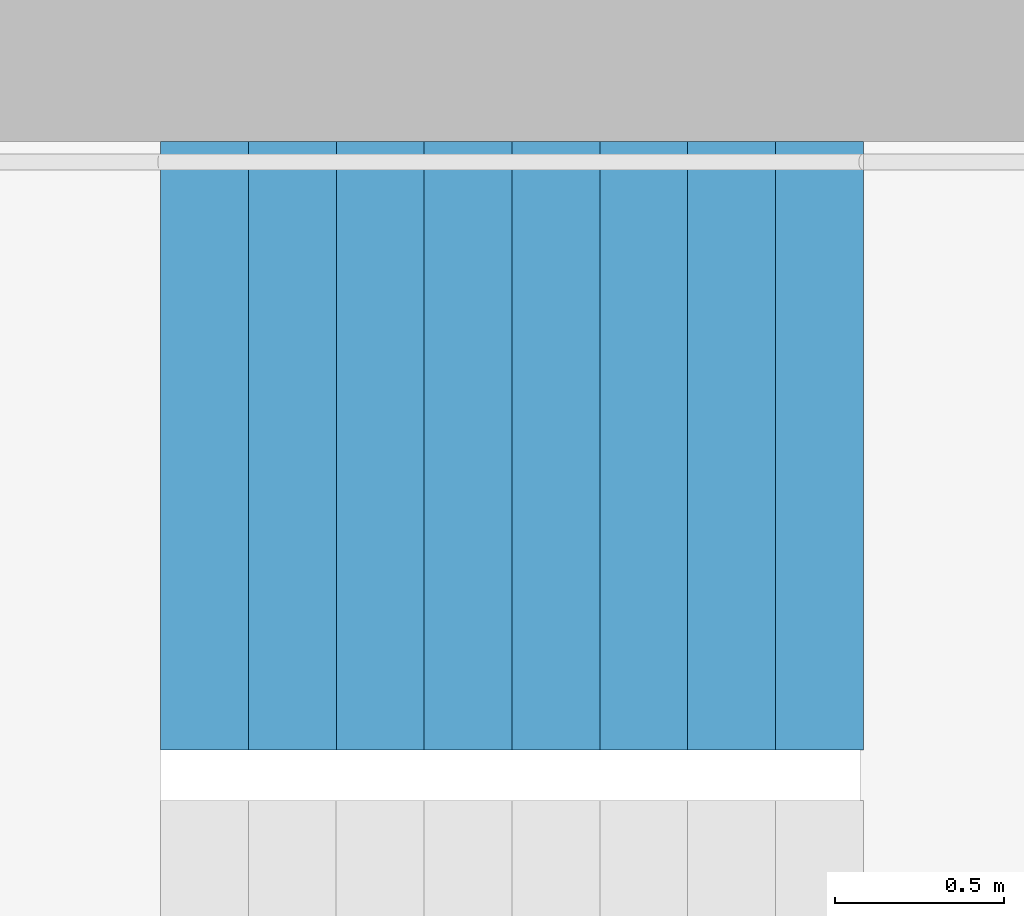
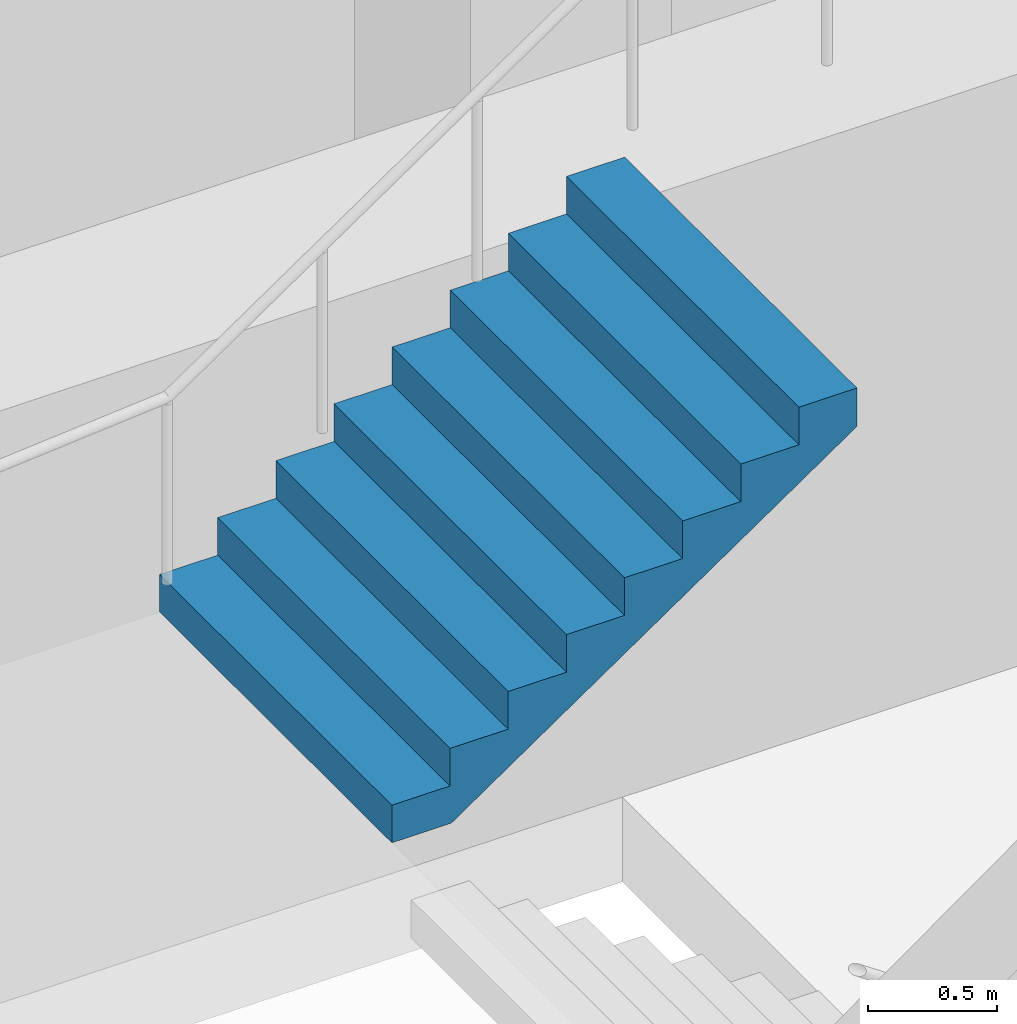
# One storey, part 28 of 29: 1 stair flight, 1 element without a shape of its own.
"""IFC4 building model written with IfcOpenShell, lengths in metres."""

from ifc_helpers import new_model, si_unit, direction, frame, origin, place, context, subcontext, project, spatial, triangles, material, type_object, element, aggregate, save


model = new_model("IFC4")

# Units and contexts
model_context = context("Model", 3, precision=1e-05, world=origin(), true_north=direction((0.0, 1.0)))
body_context = subcontext(model_context, "Body", "Model", "MODEL_VIEW")
ifc_project = project(units=[si_unit("LENGTHUNIT", "METRE"), si_unit("AREAUNIT", "SQUARE_METRE"), si_unit("VOLUMEUNIT", "CUBIC_METRE"), si_unit("PLANEANGLEUNIT", "RADIAN"), si_unit("MASSUNIT", "GRAM", prefix="KILO")], contexts=[model_context])

# Site, building, storey
site_placement = place(None, origin())
site = spatial("IfcSite", under=ifc_project, at=site_placement, CompositionType="ELEMENT")
building_placement = place(site_placement, origin())
building = spatial("IfcBuilding", under=site, at=building_placement, Name="Hakoniwa Tower and Hamabe Station Hall", CompositionType="ELEMENT")
storey_placement = place(building_placement, frame((0.0, 0.0, 101.0)))
storey = spatial("IfcBuildingStorey", under=building, at=storey_placement, Name="L28", CompositionType="ELEMENT", Elevation=101.0)

# Stair, stair flight
ifc_material_1 = material(Name="Concrete C40", Category="concrete")
stair_type = type_object("IfcStairType", Name="ESCAPE STAIR 1800", PredefinedType="HALF_TURN_STAIR", material=ifc_material_1)
stair_placement = place(storey_placement, origin())
stair = element("IfcStair", 1, at=stair_placement, inside=storey, type_object=stair_type, Name="Escape stair ST-3 L28", PredefinedType="HALF_TURN_STAIR")
ifc_material_2 = material(Name="Concrete C40", Category="concrete")
stair_flight_type = type_object("IfcStairFlightType", Name="STAIR FLIGHT 1800", PredefinedType="STRAIGHT", material=ifc_material_2)
stair_flight_placement = place(storey_placement, frame((22.320068359375, 6.60009765625, 1.60009765625), z_axis=(0.0, 0.0, 1.0), x_axis=(1.0, 0.0, 0.0)))
stair_flight = element("IfcStairFlight", 2, at=stair_flight_placement, type_object=stair_flight_type, Name="ST-3 flight 2", NumberOfRisers=9, NumberOfTreads=8, PredefinedType="STRAIGHT", RiserHeight=0.177777778, TreadLength=0.26, context=body_context, shape_type="Tessellation", body=[
    triangles([(0.0, 0.89990234375, 0.0), (0.260009765625, 0.89990234375, 0.0), (0.265625, 0.89990234375, 0.0), (0.52001953125, 0.89990234375, 0.174072265625), (0.780029296875, 0.89990234375, 0.351806640625), (1.0400390625, 0.89990234375, 0.529541015625), (1.300048828125, 0.89990234375, 0.707275390625), (1.56005859375, 0.89990234375, 0.885009765625), (1.820068359375, 0.89990234375, 1.062744140625), (2.080078125, 0.89990234375, 1.24072265625), (2.080078125, 0.89990234375, 1.422119140625), (1.820068359375, 0.89990234375, 1.422119140625), (1.820068359375, 0.89990234375, 1.244384765625), (1.56005859375, 0.89990234375, 1.244384765625), (1.56005859375, 0.89990234375, 1.066650390625), (1.300048828125, 0.89990234375, 1.066650390625), (1.300048828125, 0.89990234375, 0.888916015625), (1.0400390625, 0.89990234375, 0.888916015625), (1.0400390625, 0.89990234375, 0.711181640625), (0.780029296875, 0.89990234375, 0.711181640625), (0.780029296875, 0.89990234375, 0.533447265625), (0.52001953125, 0.89990234375, 0.533447265625), (0.52001953125, 0.89990234375, 0.35546875), (0.265625, 0.89990234375, 0.35546875), (0.260009765625, 0.89990234375, 0.35546875), (0.260009765625, 0.89990234375, 0.177734375), (0.0, 0.89990234375, 0.177734375), (0.0, 0.06005859375, 0.0), (0.260009765625, 0.06005859375, 0.0), (0.265625, 0.06005859375, 0.0), (0.52001953125, 0.06005859375, 0.174072265625), (0.780029296875, 0.06005859375, 0.351806640625), (1.0400390625, 0.06005859375, 0.529541015625), (1.300048828125, 0.06005859375, 0.707275390625), (1.56005859375, 0.06005859375, 0.885009765625), (1.820068359375, 0.06005859375, 1.062744140625), (2.080078125, 0.06005859375, 1.24072265625), (2.080078125, 0.06005859375, 1.422119140625), (1.820068359375, 0.06005859375, 1.422119140625), (1.820068359375, 0.06005859375, 1.244384765625), (1.56005859375, 0.06005859375, 1.244384765625), (1.56005859375, 0.06005859375, 1.066650390625), (1.300048828125, 0.06005859375, 1.066650390625), (1.300048828125, 0.06005859375, 0.888916015625), (1.0400390625, 0.06005859375, 0.888916015625), (1.0400390625, 0.06005859375, 0.711181640625), (0.780029296875, 0.06005859375, 0.711181640625), (0.780029296875, 0.06005859375, 0.533447265625), (0.52001953125, 0.06005859375, 0.533447265625), (0.52001953125, 0.06005859375, 0.35546875), (0.265625, 0.06005859375, 0.35546875), (0.260009765625, 0.06005859375, 0.35546875), (0.260009765625, 0.06005859375, 0.177734375), (0.0, 0.06005859375, 0.177734375), (0.0, 0.04296875, 0.0), (0.260009765625, 0.04296875, 0.0), (0.265625, 0.04296875, 0.0), (0.52001953125, 0.04296875, 0.174072265625), (0.780029296875, 0.04296875, 0.351806640625), (1.0400390625, 0.04296875, 0.529541015625), (1.300048828125, 0.04296875, 0.707275390625), (1.56005859375, 0.04296875, 0.885009765625), (1.820068359375, 0.04296875, 1.062744140625), (2.080078125, 0.04296875, 1.24072265625), (2.080078125, 0.04296875, 1.422119140625), (1.820068359375, 0.04296875, 1.422119140625), (1.820068359375, 0.04296875, 1.244384765625), (1.56005859375, 0.04296875, 1.244384765625), (1.56005859375, 0.04296875, 1.066650390625), (1.300048828125, 0.04296875, 1.066650390625), (1.300048828125, 0.04296875, 0.888916015625), (1.0400390625, 0.04296875, 0.888916015625), (1.0400390625, 0.04296875, 0.711181640625), (0.780029296875, 0.04296875, 0.711181640625), (0.780029296875, 0.04296875, 0.533447265625), (0.52001953125, 0.04296875, 0.533447265625), (0.52001953125, 0.04296875, 0.35546875), (0.265625, 0.04296875, 0.35546875), (0.260009765625, 0.04296875, 0.35546875), (0.260009765625, 0.04296875, 0.177734375), (0.0, 0.04296875, 0.177734375), (0.0, 0.025634765625, 0.0), (0.260009765625, 0.025634765625, 0.0), (0.265625, 0.025634765625, 0.0), (0.52001953125, 0.025634765625, 0.174072265625), (0.780029296875, 0.025634765625, 0.351806640625), (1.0400390625, 0.025634765625, 0.529541015625), (1.300048828125, 0.025634765625, 0.707275390625), (1.56005859375, 0.025634765625, 0.885009765625), (1.820068359375, 0.025634765625, 1.062744140625), (2.080078125, 0.025634765625, 1.24072265625), (2.080078125, 0.025634765625, 1.422119140625), (1.820068359375, 0.025634765625, 1.422119140625), (1.820068359375, 0.025634765625, 1.244384765625), (1.56005859375, 0.025634765625, 1.244384765625), (1.56005859375, 0.025634765625, 1.066650390625), (1.300048828125, 0.025634765625, 1.066650390625), (1.300048828125, 0.025634765625, 0.888916015625), (1.0400390625, 0.025634765625, 0.888916015625), (1.0400390625, 0.025634765625, 0.711181640625), (0.780029296875, 0.025634765625, 0.711181640625), (0.780029296875, 0.025634765625, 0.533447265625), (0.52001953125, 0.025634765625, 0.533447265625), (0.52001953125, 0.025634765625, 0.35546875), (0.265625, 0.025634765625, 0.35546875), (0.260009765625, 0.025634765625, 0.35546875), (0.260009765625, 0.025634765625, 0.177734375), (0.0, 0.025634765625, 0.177734375), (0.0, 0.008544921875, 0.0), (0.260009765625, 0.008544921875, 0.0), (0.265625, 0.008544921875, 0.0), (0.52001953125, 0.008544921875, 0.174072265625), (0.780029296875, 0.008544921875, 0.351806640625), (1.0400390625, 0.008544921875, 0.529541015625), (1.300048828125, 0.008544921875, 0.707275390625), (1.56005859375, 0.008544921875, 0.885009765625), (1.820068359375, 0.008544921875, 1.062744140625), (2.080078125, 0.008544921875, 1.24072265625), (2.080078125, 0.008544921875, 1.422119140625), (1.820068359375, 0.008544921875, 1.422119140625), (1.820068359375, 0.008544921875, 1.244384765625), (1.56005859375, 0.008544921875, 1.244384765625), (1.56005859375, 0.008544921875, 1.066650390625), (1.300048828125, 0.008544921875, 1.066650390625), (1.300048828125, 0.008544921875, 0.888916015625), (1.0400390625, 0.008544921875, 0.888916015625), (1.0400390625, 0.008544921875, 0.711181640625), (0.780029296875, 0.008544921875, 0.711181640625), (0.780029296875, 0.008544921875, 0.533447265625), (0.52001953125, 0.008544921875, 0.533447265625), (0.52001953125, 0.008544921875, 0.35546875), (0.265625, 0.008544921875, 0.35546875), (0.260009765625, 0.008544921875, 0.35546875), (0.260009765625, 0.008544921875, 0.177734375), (0.0, 0.008544921875, 0.177734375), (0.0, -0.008544921875, 0.0), (0.260009765625, -0.008544921875, 0.0), (0.265625, -0.008544921875, 0.0), (0.52001953125, -0.008544921875, 0.174072265625), (0.780029296875, -0.008544921875, 0.351806640625), (1.0400390625, -0.008544921875, 0.529541015625), (1.300048828125, -0.008544921875, 0.707275390625), (1.56005859375, -0.008544921875, 0.885009765625), (1.820068359375, -0.008544921875, 1.062744140625), (2.080078125, -0.008544921875, 1.24072265625), (2.080078125, -0.008544921875, 1.422119140625), (1.820068359375, -0.008544921875, 1.422119140625), (1.820068359375, -0.008544921875, 1.244384765625), (1.56005859375, -0.008544921875, 1.244384765625), (1.56005859375, -0.008544921875, 1.066650390625), (1.300048828125, -0.008544921875, 1.066650390625), (1.300048828125, -0.008544921875, 0.888916015625), (1.0400390625, -0.008544921875, 0.888916015625), (1.0400390625, -0.008544921875, 0.711181640625), (0.780029296875, -0.008544921875, 0.711181640625), (0.780029296875, -0.008544921875, 0.533447265625), (0.52001953125, -0.008544921875, 0.533447265625), (0.52001953125, -0.008544921875, 0.35546875), (0.265625, -0.008544921875, 0.35546875), (0.260009765625, -0.008544921875, 0.35546875), (0.260009765625, -0.008544921875, 0.177734375), (0.0, -0.008544921875, 0.177734375), (0.0, -0.025634765625, 0.0), (0.260009765625, -0.025634765625, 0.0), (0.265625, -0.025634765625, 0.0), (0.52001953125, -0.025634765625, 0.174072265625), (0.780029296875, -0.025634765625, 0.351806640625), (1.0400390625, -0.025634765625, 0.529541015625), (1.300048828125, -0.025634765625, 0.707275390625), (1.56005859375, -0.025634765625, 0.885009765625), (1.820068359375, -0.025634765625, 1.062744140625), (2.080078125, -0.025634765625, 1.24072265625), (2.080078125, -0.025634765625, 1.422119140625), (1.820068359375, -0.025634765625, 1.422119140625), (1.820068359375, -0.025634765625, 1.244384765625), (1.56005859375, -0.025634765625, 1.244384765625), (1.56005859375, -0.025634765625, 1.066650390625), (1.300048828125, -0.025634765625, 1.066650390625), (1.300048828125, -0.025634765625, 0.888916015625), (1.0400390625, -0.025634765625, 0.888916015625), (1.0400390625, -0.025634765625, 0.711181640625), (0.780029296875, -0.025634765625, 0.711181640625), (0.780029296875, -0.025634765625, 0.533447265625), (0.52001953125, -0.025634765625, 0.533447265625), (0.52001953125, -0.025634765625, 0.35546875), (0.265625, -0.025634765625, 0.35546875), (0.260009765625, -0.025634765625, 0.35546875), (0.260009765625, -0.025634765625, 0.177734375), (0.0, -0.025634765625, 0.177734375), (0.0, -0.04296875, 0.0), (0.260009765625, -0.04296875, 0.0), (0.265625, -0.04296875, 0.0), (0.52001953125, -0.04296875, 0.174072265625), (0.780029296875, -0.04296875, 0.351806640625), (1.0400390625, -0.04296875, 0.529541015625), (1.300048828125, -0.04296875, 0.707275390625), (1.56005859375, -0.04296875, 0.885009765625), (1.820068359375, -0.04296875, 1.062744140625), (2.080078125, -0.04296875, 1.24072265625), (2.080078125, -0.04296875, 1.422119140625), (1.820068359375, -0.04296875, 1.422119140625), (1.820068359375, -0.04296875, 1.244384765625), (1.56005859375, -0.04296875, 1.244384765625), (1.56005859375, -0.04296875, 1.066650390625), (1.300048828125, -0.04296875, 1.066650390625), (1.300048828125, -0.04296875, 0.888916015625), (1.0400390625, -0.04296875, 0.888916015625), (1.0400390625, -0.04296875, 0.711181640625), (0.780029296875, -0.04296875, 0.711181640625), (0.780029296875, -0.04296875, 0.533447265625), (0.52001953125, -0.04296875, 0.533447265625), (0.52001953125, -0.04296875, 0.35546875), (0.265625, -0.04296875, 0.35546875), (0.260009765625, -0.04296875, 0.35546875), (0.260009765625, -0.04296875, 0.177734375), (0.0, -0.04296875, 0.177734375), (0.0, -0.06005859375, 0.0), (0.260009765625, -0.06005859375, 0.0), (0.265625, -0.06005859375, 0.0), (0.52001953125, -0.06005859375, 0.174072265625), (0.780029296875, -0.06005859375, 0.351806640625), (1.0400390625, -0.06005859375, 0.529541015625), (1.300048828125, -0.06005859375, 0.707275390625), (1.56005859375, -0.06005859375, 0.885009765625), (1.820068359375, -0.06005859375, 1.062744140625), (2.080078125, -0.06005859375, 1.24072265625), (2.080078125, -0.06005859375, 1.422119140625), (1.820068359375, -0.06005859375, 1.422119140625), (1.820068359375, -0.06005859375, 1.244384765625), (1.56005859375, -0.06005859375, 1.244384765625), (1.56005859375, -0.06005859375, 1.066650390625), (1.300048828125, -0.06005859375, 1.066650390625), (1.300048828125, -0.06005859375, 0.888916015625), (1.0400390625, -0.06005859375, 0.888916015625), (1.0400390625, -0.06005859375, 0.711181640625), (0.780029296875, -0.06005859375, 0.711181640625), (0.780029296875, -0.06005859375, 0.533447265625), (0.52001953125, -0.06005859375, 0.533447265625), (0.52001953125, -0.06005859375, 0.35546875), (0.265625, -0.06005859375, 0.35546875), (0.260009765625, -0.06005859375, 0.35546875), (0.260009765625, -0.06005859375, 0.177734375), (0.0, -0.06005859375, 0.177734375), (0.0, -0.89990234375, 0.0), (0.260009765625, -0.89990234375, 0.0), (0.265625, -0.89990234375, 0.0), (0.52001953125, -0.89990234375, 0.174072265625), (0.780029296875, -0.89990234375, 0.351806640625), (1.0400390625, -0.89990234375, 0.529541015625), (1.300048828125, -0.89990234375, 0.707275390625), (1.56005859375, -0.89990234375, 0.885009765625), (1.820068359375, -0.89990234375, 1.062744140625), (2.080078125, -0.89990234375, 1.24072265625), (2.080078125, -0.89990234375, 1.422119140625), (1.820068359375, -0.89990234375, 1.422119140625), (1.820068359375, -0.89990234375, 1.244384765625), (1.56005859375, -0.89990234375, 1.244384765625), (1.56005859375, -0.89990234375, 1.066650390625), (1.300048828125, -0.89990234375, 1.066650390625), (1.300048828125, -0.89990234375, 0.888916015625), (1.0400390625, -0.89990234375, 0.888916015625), (1.0400390625, -0.89990234375, 0.711181640625), (0.780029296875, -0.89990234375, 0.711181640625), (0.780029296875, -0.89990234375, 0.533447265625), (0.52001953125, -0.89990234375, 0.533447265625), (0.52001953125, -0.89990234375, 0.35546875), (0.265625, -0.89990234375, 0.35546875), (0.260009765625, -0.89990234375, 0.35546875), (0.260009765625, -0.89990234375, 0.177734375), (0.0, -0.89990234375, 0.177734375)], [[2, 27, 26], [245, 269, 270], [2, 1, 27], [245, 270, 244], [3, 25, 24], [246, 267, 268], [3, 26, 25], [246, 268, 269], [3, 2, 26], [246, 269, 245], [4, 24, 23], [247, 266, 267], [4, 3, 24], [247, 267, 246], [5, 22, 21], [248, 264, 265], [5, 23, 22], [248, 265, 266], [5, 4, 23], [248, 266, 247], [6, 20, 19], [249, 262, 263], [6, 21, 20], [249, 263, 264], [6, 5, 21], [249, 264, 248], [7, 18, 17], [250, 260, 261], [7, 19, 18], [250, 261, 262], [7, 6, 19], [250, 262, 249], [8, 16, 15], [251, 258, 259], [8, 17, 16], [251, 259, 260], [8, 7, 17], [251, 260, 250], [9, 14, 13], [252, 256, 257], [9, 15, 14], [252, 257, 258], [9, 8, 15], [252, 258, 251], [10, 12, 11], [253, 254, 255], [10, 13, 12], [253, 255, 256], [10, 9, 13], [253, 256, 252], [1, 2, 29], [1, 29, 28], [28, 29, 56], [28, 56, 55], [55, 56, 83], [55, 83, 82], [82, 83, 110], [82, 110, 109], [109, 110, 137], [109, 137, 136], [136, 137, 164], [136, 164, 163], [163, 164, 191], [163, 191, 190], [190, 191, 218], [190, 218, 217], [217, 218, 245], [217, 245, 244], [2, 3, 30], [2, 30, 29], [29, 30, 57], [29, 57, 56], [56, 57, 84], [56, 84, 83], [83, 84, 111], [83, 111, 110], [110, 111, 138], [110, 138, 137], [137, 138, 165], [137, 165, 164], [164, 165, 192], [164, 192, 191], [191, 192, 219], [191, 219, 218], [218, 219, 246], [218, 246, 245], [3, 4, 31], [3, 31, 30], [30, 31, 58], [30, 58, 57], [57, 58, 85], [57, 85, 84], [84, 85, 112], [84, 112, 111], [111, 112, 139], [111, 139, 138], [138, 139, 166], [138, 166, 165], [165, 166, 193], [165, 193, 192], [192, 193, 220], [192, 220, 219], [219, 220, 247], [219, 247, 246], [4, 5, 32], [4, 32, 31], [31, 32, 59], [31, 59, 58], [58, 59, 86], [58, 86, 85], [85, 86, 113], [85, 113, 112], [112, 113, 140], [112, 140, 139], [139, 140, 167], [139, 167, 166], [166, 167, 194], [166, 194, 193], [193, 194, 221], [193, 221, 220], [220, 221, 248], [220, 248, 247], [5, 6, 33], [5, 33, 32], [32, 33, 60], [32, 60, 59], [59, 60, 87], [59, 87, 86], [86, 87, 114], [86, 114, 113], [113, 114, 141], [113, 141, 140], [140, 141, 168], [140, 168, 167], [167, 168, 195], [167, 195, 194], [194, 195, 222], [194, 222, 221], [221, 222, 249], [221, 249, 248], [6, 7, 34], [6, 34, 33], [33, 34, 61], [33, 61, 60], [60, 61, 88], [60, 88, 87], [87, 88, 115], [87, 115, 114], [114, 115, 142], [114, 142, 141], [141, 142, 169], [141, 169, 168], [168, 169, 196], [168, 196, 195], [195, 196, 223], [195, 223, 222], [222, 223, 250], [222, 250, 249], [7, 8, 35], [7, 35, 34], [34, 35, 62], [34, 62, 61], [61, 62, 89], [61, 89, 88], [88, 89, 116], [88, 116, 115], [115, 116, 143], [115, 143, 142], [142, 143, 170], [142, 170, 169], [169, 170, 197], [169, 197, 196], [196, 197, 224], [196, 224, 223], [223, 224, 251], [223, 251, 250], [8, 9, 36], [8, 36, 35], [35, 36, 63], [35, 63, 62], [62, 63, 90], [62, 90, 89], [89, 90, 117], [89, 117, 116], [116, 117, 144], [116, 144, 143], [143, 144, 171], [143, 171, 170], [170, 171, 198], [170, 198, 197], [197, 198, 225], [197, 225, 224], [224, 225, 252], [224, 252, 251], [9, 10, 37], [9, 37, 36], [36, 37, 64], [36, 64, 63], [63, 64, 91], [63, 91, 90], [90, 91, 118], [90, 118, 117], [117, 118, 145], [117, 145, 144], [144, 145, 172], [144, 172, 171], [171, 172, 199], [171, 199, 198], [198, 199, 226], [198, 226, 225], [225, 226, 253], [225, 253, 252], [10, 11, 38], [10, 38, 37], [37, 38, 65], [37, 65, 64], [64, 65, 92], [64, 92, 91], [91, 92, 119], [91, 119, 118], [118, 119, 146], [118, 146, 145], [145, 146, 173], [145, 173, 172], [172, 173, 200], [172, 200, 199], [199, 200, 227], [199, 227, 226], [226, 227, 254], [226, 254, 253], [11, 12, 39], [11, 39, 38], [38, 39, 66], [38, 66, 65], [65, 66, 93], [65, 93, 92], [92, 93, 120], [92, 120, 119], [119, 120, 147], [119, 147, 146], [146, 147, 174], [146, 174, 173], [173, 174, 201], [173, 201, 200], [200, 201, 228], [200, 228, 227], [227, 228, 255], [227, 255, 254], [12, 13, 40], [12, 40, 39], [39, 40, 67], [39, 67, 66], [66, 67, 94], [66, 94, 93], [93, 94, 121], [93, 121, 120], [120, 121, 148], [120, 148, 147], [147, 148, 175], [147, 175, 174], [174, 175, 202], [174, 202, 201], [201, 202, 229], [201, 229, 228], [228, 229, 256], [228, 256, 255], [13, 14, 41], [13, 41, 40], [40, 41, 68], [40, 68, 67], [67, 68, 95], [67, 95, 94], [94, 95, 122], [94, 122, 121], [121, 122, 149], [121, 149, 148], [148, 149, 176], [148, 176, 175], [175, 176, 203], [175, 203, 202], [202, 203, 230], [202, 230, 229], [229, 230, 257], [229, 257, 256], [14, 15, 42], [14, 42, 41], [41, 42, 69], [41, 69, 68], [68, 69, 96], [68, 96, 95], [95, 96, 123], [95, 123, 122], [122, 123, 150], [122, 150, 149], [149, 150, 177], [149, 177, 176], [176, 177, 204], [176, 204, 203], [203, 204, 231], [203, 231, 230], [230, 231, 258], [230, 258, 257], [15, 16, 43], [15, 43, 42], [42, 43, 70], [42, 70, 69], [69, 70, 97], [69, 97, 96], [96, 97, 124], [96, 124, 123], [123, 124, 151], [123, 151, 150], [150, 151, 178], [150, 178, 177], [177, 178, 205], [177, 205, 204], [204, 205, 232], [204, 232, 231], [231, 232, 259], [231, 259, 258], [16, 17, 44], [16, 44, 43], [43, 44, 71], [43, 71, 70], [70, 71, 98], [70, 98, 97], [97, 98, 125], [97, 125, 124], [124, 125, 152], [124, 152, 151], [151, 152, 179], [151, 179, 178], [178, 179, 206], [178, 206, 205], [205, 206, 233], [205, 233, 232], [232, 233, 260], [232, 260, 259], [17, 18, 45], [17, 45, 44], [44, 45, 72], [44, 72, 71], [71, 72, 99], [71, 99, 98], [98, 99, 126], [98, 126, 125], [125, 126, 153], [125, 153, 152], [152, 153, 180], [152, 180, 179], [179, 180, 207], [179, 207, 206], [206, 207, 234], [206, 234, 233], [233, 234, 261], [233, 261, 260], [18, 19, 46], [18, 46, 45], [45, 46, 73], [45, 73, 72], [72, 73, 100], [72, 100, 99], [99, 100, 127], [99, 127, 126], [126, 127, 154], [126, 154, 153], [153, 154, 181], [153, 181, 180], [180, 181, 208], [180, 208, 207], [207, 208, 235], [207, 235, 234], [234, 235, 262], [234, 262, 261], [19, 20, 47], [19, 47, 46], [46, 47, 74], [46, 74, 73], [73, 74, 101], [73, 101, 100], [100, 101, 128], [100, 128, 127], [127, 128, 155], [127, 155, 154], [154, 155, 182], [154, 182, 181], [181, 182, 209], [181, 209, 208], [208, 209, 236], [208, 236, 235], [235, 236, 263], [235, 263, 262], [20, 21, 48], [20, 48, 47], [47, 48, 75], [47, 75, 74], [74, 75, 102], [74, 102, 101], [101, 102, 129], [101, 129, 128], [128, 129, 156], [128, 156, 155], [155, 156, 183], [155, 183, 182], [182, 183, 210], [182, 210, 209], [209, 210, 237], [209, 237, 236], [236, 237, 264], [236, 264, 263], [21, 22, 49], [21, 49, 48], [48, 49, 76], [48, 76, 75], [75, 76, 103], [75, 103, 102], [102, 103, 130], [102, 130, 129], [129, 130, 157], [129, 157, 156], [156, 157, 184], [156, 184, 183], [183, 184, 211], [183, 211, 210], [210, 211, 238], [210, 238, 237], [237, 238, 265], [237, 265, 264], [22, 23, 50], [22, 50, 49], [49, 50, 77], [49, 77, 76], [76, 77, 104], [76, 104, 103], [103, 104, 131], [103, 131, 130], [130, 131, 158], [130, 158, 157], [157, 158, 185], [157, 185, 184], [184, 185, 212], [184, 212, 211], [211, 212, 239], [211, 239, 238], [238, 239, 266], [238, 266, 265], [23, 24, 51], [23, 51, 50], [50, 51, 78], [50, 78, 77], [77, 78, 105], [77, 105, 104], [104, 105, 132], [104, 132, 131], [131, 132, 159], [131, 159, 158], [158, 159, 186], [158, 186, 185], [185, 186, 213], [185, 213, 212], [212, 213, 240], [212, 240, 239], [239, 240, 267], [239, 267, 266], [24, 25, 52], [24, 52, 51], [51, 52, 79], [51, 79, 78], [78, 79, 106], [78, 106, 105], [105, 106, 133], [105, 133, 132], [132, 133, 160], [132, 160, 159], [159, 160, 187], [159, 187, 186], [186, 187, 214], [186, 214, 213], [213, 214, 241], [213, 241, 240], [240, 241, 268], [240, 268, 267], [25, 26, 53], [25, 53, 52], [52, 53, 80], [52, 80, 79], [79, 80, 107], [79, 107, 106], [106, 107, 134], [106, 134, 133], [133, 134, 161], [133, 161, 160], [160, 161, 188], [160, 188, 187], [187, 188, 215], [187, 215, 214], [214, 215, 242], [214, 242, 241], [241, 242, 269], [241, 269, 268], [26, 27, 54], [26, 54, 53], [53, 54, 81], [53, 81, 80], [80, 81, 108], [80, 108, 107], [107, 108, 135], [107, 135, 134], [134, 135, 162], [134, 162, 161], [161, 162, 189], [161, 189, 188], [188, 189, 216], [188, 216, 215], [215, 216, 243], [215, 243, 242], [242, 243, 270], [242, 270, 269], [27, 1, 28], [27, 28, 54], [54, 28, 55], [54, 55, 81], [81, 55, 82], [81, 82, 108], [108, 82, 109], [108, 109, 135], [135, 109, 136], [135, 136, 162], [162, 136, 163], [162, 163, 189], [189, 163, 190], [189, 190, 216], [216, 190, 217], [216, 217, 243], [243, 217, 244], [243, 244, 270]], closed=True),
])
aggregate(stair, [stair_flight])

save(model, "model.ifc")
